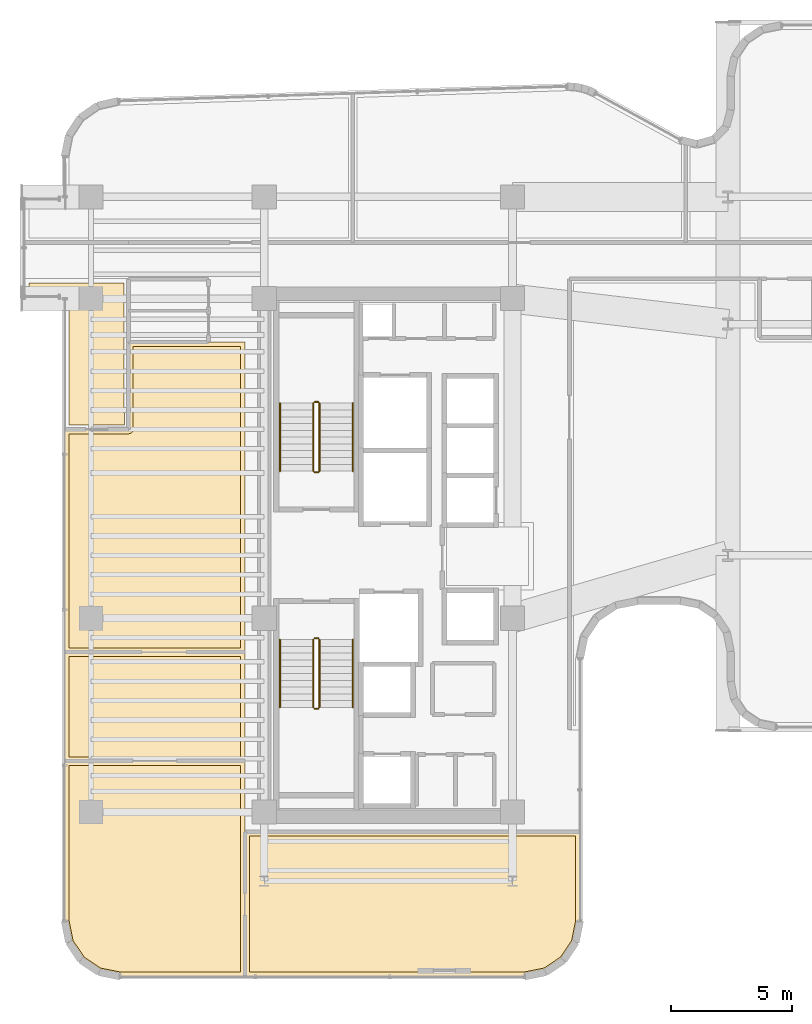
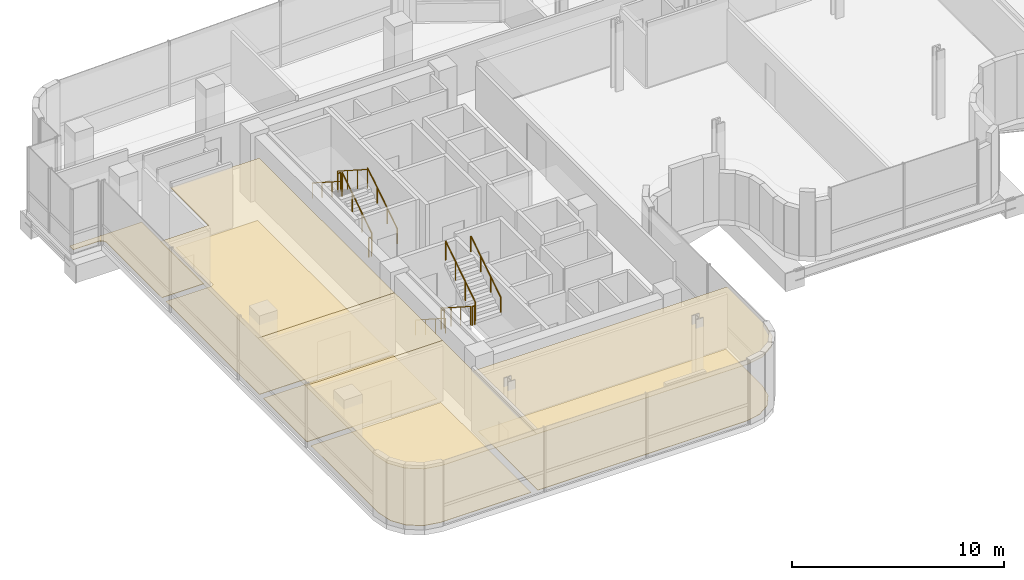
# One storey, part 32 of 35: 12 railings, 9 coverings.
"""IFC4 building model written with IfcOpenShell, lengths in metres."""

import ifcopenshell
import ifcopenshell.guid

model = None  # the IFC model being written
_history = None  # IfcOwnerHistory: only IFC2X3 demands one
_inside = {}  # id of a spatial element -> (the spatial element, [elements in it])
_under = {}  # id of a project, library or spatial element -> (it, [spatial elements below it])
_declared = {}  # id of a project -> (the project, [libraries it declares])
_typed = {}  # id of a type object -> (the type object, [elements of that type])
_made_of = {}  # id of a material, layer set ... -> (it, [elements and type objects made of it])


def new_model(schema):
    """Start an empty IFC model of exactly this schema.

    Asked for "IFC4X3", IfcOpenShell would pick the latest addendum, in which some entities
    have other attributes; the version numbers below select the first issue.
    IFC2X3 requires an IfcOwnerHistory on every rooted entity: one is made here for all.
    """
    global model, _history
    if schema == "IFC4X3":
        model = ifcopenshell.file(schema_version=(4, 3, 0, 0))
    else:
        model = ifcopenshell.file(schema=schema)
    _inside.clear()
    _under.clear()
    _declared.clear()
    _typed.clear()
    _made_of.clear()
    _history = None
    if model.schema == "IFC2X3":
        org = make("IfcOrganization", Name="unknown")
        user = make(
            "IfcPersonAndOrganization",
            ThePerson=make("IfcPerson", FamilyName="unknown"),
            TheOrganization=org,
        )
        app = make(
            "IfcApplication",
            ApplicationDeveloper=org,
            Version="unknown",
            ApplicationFullName="unknown",
            ApplicationIdentifier="unknown",
        )
        _history = make(
            "IfcOwnerHistory",
            OwningUser=user,
            OwningApplication=app,
            ChangeAction="ADDED",
            CreationDate=0,
        )
    return model


def make(cls, **values):
    """One entity of the class cls with the attributes given. An attribute that is None is left unset."""
    return model.create_entity(
        cls, **{name: value for name, value in values.items() if value is not None}
    )


def rooted(cls, **values):
    """An entity with a GlobalId (a new one), such as an element, a storey or a relation."""
    return make(cls, GlobalId=ifcopenshell.guid.new(), OwnerHistory=_history, **values)


def si_unit(unit_type, name, prefix=None):
    """IfcSIUnit, for example si_unit("LENGTHUNIT", "METRE", prefix="MILLI")."""
    return make("IfcSIUnit", UnitType=unit_type, Prefix=prefix, Name=name)


def assignment(units):
    """IfcUnitAssignment: the units of a project."""
    return None if units is None else make("IfcUnitAssignment", Units=units)


def point(xyz):
    """IfcCartesianPoint."""
    return None if xyz is None else make("IfcCartesianPoint", Coordinates=xyz)


def direction(xyz):
    """IfcDirection."""
    return None if xyz is None else make("IfcDirection", DirectionRatios=xyz)


def frame(location, z_axis=None, x_axis=None):
    """IfcAxis2Placement3D, a coordinate frame: its origin and axes. An axis left out is left unset."""
    return make(
        "IfcAxis2Placement3D",
        Location=point(location),
        Axis=direction(z_axis),
        RefDirection=direction(x_axis),
    )


def frame_2d(location, x_axis=None):
    """IfcAxis2Placement2D, a coordinate frame in the plane: its origin and x axis."""
    return make(
        "IfcAxis2Placement2D", Location=point(location), RefDirection=direction(x_axis)
    )


def origin():
    """The frame at (0, 0, 0) with its axes left unset."""
    return frame((0.0, 0.0, 0.0))


def origin_2d():
    """The frame at (0, 0) in the plane with its x axis left unset."""
    return frame_2d((0.0, 0.0))


def place(relative_to, where):
    """IfcLocalPlacement: puts the frame where relative to a parent placement (None: the world)."""
    return make(
        "IfcLocalPlacement", PlacementRelTo=relative_to, RelativePlacement=where
    )


def context(
    kind, dimensions, precision=None, world=None, true_north=None, identifier=None
):
    """IfcGeometricRepresentationContext, for example the 3D "Model" context."""
    return make(
        "IfcGeometricRepresentationContext",
        ContextIdentifier=identifier,
        ContextType=kind,
        CoordinateSpaceDimension=dimensions,
        Precision=precision,
        WorldCoordinateSystem=world,
        TrueNorth=true_north,
    )


def subcontext(parent, identifier, kind, view, scale=None):
    """IfcGeometricRepresentationSubContext, for example "Body" below "Model"."""
    return make(
        "IfcGeometricRepresentationSubContext",
        ContextIdentifier=identifier,
        ContextType=kind,
        ParentContext=parent,
        TargetScale=scale,
        TargetView=view,
    )


def project(units=None, contexts=None):
    """IfcProject with its units and contexts."""
    return rooted(
        "IfcProject",
        Name="project",
        RepresentationContexts=contexts,
        UnitsInContext=assignment(units),
    )


def spatial(cls, under=None, at=None, **own):
    """A site, building, storey or space (cls), placed at a placement, below another one or the project."""
    s = rooted(cls, ObjectPlacement=at, **own)
    if under is not None:
        _under.setdefault(under.id(), (under, []))[1].append(s)
    return s


def polyline(points):
    """IfcPolyline through the points."""
    return make("IfcPolyline", Points=[point(p) for p in points])


def profile(cls, at=None, kind="AREA", **sizes):
    """A parametric profile (cls). Its sizes go by their IFC names, for example OverallWidth=200.0."""
    return make(cls, ProfileType=kind, Position=at, **sizes)


def circle(**sizes):
    """IfcCircleProfileDef."""
    return profile("IfcCircleProfileDef", **sizes)


def outline(outer, holes=None, kind="AREA"):
    """IfcArbitraryClosedProfileDef: a profile drawn as a closed curve; with holes, ...WithVoids."""
    if holes is None:
        return make("IfcArbitraryClosedProfileDef", ProfileType=kind, OuterCurve=outer)
    return make(
        "IfcArbitraryProfileDefWithVoids",
        ProfileType=kind,
        OuterCurve=outer,
        InnerCurves=holes,
    )


def extrude(swept, where, along, depth):
    """IfcExtrudedAreaSolid: the profile swept, set in the frame where, extruded along a direction by depth."""
    return make(
        "IfcExtrudedAreaSolid",
        SweptArea=swept,
        Position=where,
        ExtrudedDirection=direction(along),
        Depth=depth,
    )


def shape(context_of_items, identifier, shape_type, items):
    """IfcShapeRepresentation: the items that make up one representation, for example the "Body"."""
    return make(
        "IfcShapeRepresentation",
        ContextOfItems=context_of_items,
        RepresentationIdentifier=identifier,
        RepresentationType=shape_type,
        Items=items,
    )


def material(Name=None, Category=None):
    """IfcMaterial."""
    return make("IfcMaterial", Name=Name, Category=Category)


def layer(
    of_material, thickness, ventilated=None, Name=None, Category=None, Priority=None
):
    """IfcMaterialLayer: one layer of a wall or slab, of a material (None: an air gap)."""
    return make(
        "IfcMaterialLayer",
        Material=of_material,
        LayerThickness=thickness,
        IsVentilated=ventilated,
        Name=Name,
        Category=Category,
        Priority=Priority,
    )


def layer_set(layers, Name=None):
    """IfcMaterialLayerSet."""
    return make("IfcMaterialLayerSet", MaterialLayers=layers, LayerSetName=Name)


def made_of(thing, what):
    """Note that an element or type object is made of a material, layer set ...; save() writes the relation."""
    if what is not None:
        _made_of.setdefault(what.id(), (what, []))[1].append(thing)
    return thing


def type_object(cls, material=None, **own):
    """A type object (cls), such as IfcWallType, which elements share."""
    return made_of(rooted(cls, **own), material)


def element(
    cls,
    number,
    at=None,
    inside=None,
    cuts=None,
    type_object=None,
    material=None,
    context=None,
    identifier="Body",
    shape_type=None,
    held_by="IfcProductDefinitionShape",
    body=None,
    shapes=None,
    **own,
):
    """One element of the class cls, such as IfcWall. Its Tag is "e" and its number.

    at: its placement. inside: the storey or other place that contains it. cuts: it is an
    opening in that element (IfcRelVoidsElement). A single representation is given by context,
    identifier, shape_type and body (its items); several are given by shapes. held_by: the class
    of the entity that holds the representations. save() writes the other relations.
    """
    e = rooted(cls, Tag="e%d" % number, ObjectPlacement=at, **own)
    if body is not None:
        shapes = [shape(context, identifier, shape_type, body)]
    if shapes is not None:
        e.Representation = make(held_by, Representations=shapes)
    if inside is not None:
        _inside.setdefault(inside.id(), (inside, []))[1].append(e)
    if cuts is not None:
        rooted(
            "IfcRelVoidsElement", RelatingBuildingElement=cuts, RelatedOpeningElement=e
        )
    if type_object is not None:
        _typed.setdefault(type_object.id(), (type_object, []))[1].append(e)
    return made_of(e, material)


def aggregate(whole, parts):
    """IfcRelAggregates: a whole, such as a stair, and the parts it consists of."""
    return rooted("IfcRelAggregates", RelatingObject=whole, RelatedObjects=parts)


def save(model, path):
    """Write the relations noted so far, then the file.

    IfcRelAggregates (storeys below a building ...), IfcRelContainedInSpatialStructure (elements
    in a storey), IfcRelDefinesByType, IfcRelAssociatesMaterial and IfcRelDeclares: one each for
    every whole, place, type object, material and project.
    """
    for whole, parts in _under.values():
        aggregate(whole, parts)
    for where, things in _inside.values():
        rooted(
            "IfcRelContainedInSpatialStructure",
            RelatedElements=things,
            RelatingStructure=where,
        )
    for kind, things in _typed.values():
        rooted("IfcRelDefinesByType", RelatedObjects=things, RelatingType=kind)
    for what, things in _made_of.values():
        rooted("IfcRelAssociatesMaterial", RelatedObjects=things, RelatingMaterial=what)
    for by, libraries in _declared.values():
        rooted("IfcRelDeclares", RelatingContext=by, RelatedDefinitions=libraries)
    model.write(path)


model = new_model("IFC4")

# Units and contexts
model_context = context("Model", 3, precision=1e-05, world=origin(), true_north=direction((0.0, 1.0)))
body_context = subcontext(model_context, "Body", "Model", "MODEL_VIEW")
ifc_project = project(units=[si_unit("LENGTHUNIT", "METRE"), si_unit("AREAUNIT", "SQUARE_METRE"), si_unit("VOLUMEUNIT", "CUBIC_METRE"), si_unit("PLANEANGLEUNIT", "RADIAN"), si_unit("MASSUNIT", "GRAM", prefix="KILO")], contexts=[model_context])

# Site, building, storey
site_placement = place(None, origin())
site = spatial("IfcSite", under=ifc_project, at=site_placement, CompositionType="ELEMENT")
building_placement = place(site_placement, origin())
building = spatial("IfcBuilding", under=site, at=building_placement, Name="Valdorenza Pilgrim Sanctuary Tower", CompositionType="ELEMENT")
storey_placement = place(building_placement, frame((0.0, 0.0, 192.35009765625)))
storey = spatial("IfcBuildingStorey", under=building, at=storey_placement, Name="L49", CompositionType="ELEMENT", Elevation=192.35009765625)

# Coverings
ifc_material_1 = material(Name="Micro-perforated acoustic mineral ceiling tile", Category="gypsum")
ifc_layer_1 = layer(ifc_material_1, 0.02490234375, Name="Micro-perforated acoustic mineral ceiling tile")
ifc_layer_set_1 = layer_set([ifc_layer_1], Name="Micro-perforated acoustic mineral ceiling tile")
covering_type_1 = type_object("IfcCoveringType", Name="COV-CLG-ACU", PredefinedType="CEILING", material=ifc_layer_set_1)
covering_1_placement = place(storey_placement, frame((0.0, 0.0, 3.409912109375)))
element("IfcCovering", 1, at=covering_1_placement, inside=storey, type_object=covering_type_1, Name="L49 Sacred Archive Reading Library L49-S1 Acoustic Ceiling", PredefinedType="CEILING", context=body_context, shape_type="SweptSolid", body=[
    extrude(outline(polyline([(-23.43505859375, -17.389892578125), (-23.43505859375, -17.3916015625), (-23.435302734375, -17.392822265625), (-23.435546875, -17.394287109375), (-23.43603515625, -17.395751953125), (-23.436767578125, -17.397216796875), (-23.4375, -17.398193359375), (-23.4384765625, -17.3994140625), (-23.439453125, -17.400634765625), (-23.4404296875, -17.401611328125), (-23.441650390625, -17.402587890625), (-23.44287109375, -17.4033203125), (-23.4443359375, -17.40380859375), (-23.445556640625, -17.404296875), (-23.447021484375, -17.40478515625), (-23.448486328125, -17.40478515625), (-23.449951171875, -17.405029296875), (-28.589111328125, -17.405029296875), (-28.590576171875, -17.40478515625), (-28.592041015625, -17.40478515625), (-29.478515625, -17.228515625), (-29.479736328125, -17.22802734375), (-29.481201171875, -17.2275390625), (-29.482666015625, -17.226806640625), (-29.48388671875, -17.226318359375), (-30.22607421875, -16.730224609375), (-30.227294921875, -16.7294921875), (-30.228515625, -16.728515625), (-30.2294921875, -16.727294921875), (-30.230224609375, -16.72607421875), (-30.726318359375, -15.98388671875), (-30.726806640625, -15.982666015625), (-30.7275390625, -15.981201171875), (-30.72802734375, -15.979736328125), (-30.728515625, -15.978515625), (-30.90478515625, -15.092041015625), (-30.90478515625, -15.090576171875), (-30.905029296875, -15.089111328125), (-30.905029296875, -8.5), (-30.90478515625, -8.49853515625), (-30.90478515625, -8.4970703125), (-30.904296875, -8.49560546875), (-30.90380859375, -8.494384765625), (-30.9033203125, -8.492919921875), (-30.902587890625, -8.49169921875), (-30.901611328125, -8.490478515625), (-30.900634765625, -8.489501953125), (-30.8994140625, -8.48828125), (-30.898193359375, -8.487548828125), (-30.897216796875, -8.48681640625), (-30.895751953125, -8.486083984375), (-30.894287109375, -8.485595703125), (-30.892822265625, -8.4853515625), (-30.8916015625, -8.485107421875), (-30.889892578125, -8.485107421875), (-23.449951171875, -8.485107421875), (-23.448486328125, -8.485107421875), (-23.447021484375, -8.4853515625), (-23.445556640625, -8.485595703125), (-23.4443359375, -8.486083984375), (-23.44287109375, -8.48681640625), (-23.441650390625, -8.487548828125), (-23.4404296875, -8.48828125), (-23.439453125, -8.489501953125), (-23.4384765625, -8.490478515625), (-23.4375, -8.49169921875), (-23.436767578125, -8.492919921875), (-23.43603515625, -8.494384765625), (-23.435546875, -8.49560546875), (-23.435302734375, -8.4970703125), (-23.43505859375, -8.49853515625), (-23.43505859375, -8.5), (-23.43505859375, -17.389892578125)])), origin(), (0.0, 0.0, 1.0), 0.02490234375),
])
covering_2_placement = place(storey_placement, frame((0.0, 0.0, 3.409912109375)))
element("IfcCovering", 2, at=covering_2_placement, inside=storey, type_object=covering_type_1, Name="L49 South Contemplation Salon L49 Acoustic Ceiling", PredefinedType="CEILING", context=body_context, shape_type="SweptSolid", body=[
    extrude(outline(polyline([(-23.43505859375, -8.498046875), (-23.43505859375, -8.49951171875), (-23.435302734375, -8.5009765625), (-23.435546875, -8.50244140625), (-23.43603515625, -8.503662109375), (-23.436767578125, -8.505126953125), (-23.4375, -8.50634765625), (-23.4384765625, -8.507568359375), (-23.439453125, -8.508544921875), (-23.4404296875, -8.509521484375), (-23.441650390625, -8.510498046875), (-23.44287109375, -8.51123046875), (-23.4443359375, -8.511962890625), (-23.445556640625, -8.512451171875), (-23.447021484375, -8.5126953125), (-23.448486328125, -8.512939453125), (-23.449951171875, -8.512939453125), (-30.889892578125, -8.512939453125), (-30.8916015625, -8.512939453125), (-30.892822265625, -8.5126953125), (-30.894287109375, -8.512451171875), (-30.895751953125, -8.511962890625), (-30.897216796875, -8.51123046875), (-30.898193359375, -8.510498046875), (-30.8994140625, -8.509521484375), (-30.900634765625, -8.508544921875), (-30.901611328125, -8.507568359375), (-30.902587890625, -8.50634765625), (-30.9033203125, -8.505126953125), (-30.90380859375, -8.503662109375), (-30.904296875, -8.50244140625), (-30.90478515625, -8.5009765625), (-30.90478515625, -8.49951171875), (-30.905029296875, -8.498046875), (-30.905029296875, -4.0), (-30.90478515625, -3.99853515625), (-30.90478515625, -3.9970703125), (-30.904296875, -3.99560546875), (-30.90380859375, -3.994384765625), (-30.9033203125, -3.992919921875), (-30.902587890625, -3.99169921875), (-30.901611328125, -3.990478515625), (-30.900634765625, -3.989501953125), (-30.8994140625, -3.98828125), (-30.898193359375, -3.987548828125), (-30.897216796875, -3.98681640625), (-30.895751953125, -3.986083984375), (-30.894287109375, -3.985595703125), (-30.892822265625, -3.9853515625), (-30.8916015625, -3.985107421875), (-30.889892578125, -3.985107421875), (-23.449951171875, -3.985107421875), (-23.448486328125, -3.985107421875), (-23.447021484375, -3.9853515625), (-23.445556640625, -3.985595703125), (-23.4443359375, -3.986083984375), (-23.44287109375, -3.98681640625), (-23.441650390625, -3.987548828125), (-23.4404296875, -3.98828125), (-23.439453125, -3.989501953125), (-23.4384765625, -3.990478515625), (-23.4375, -3.99169921875), (-23.436767578125, -3.992919921875), (-23.43603515625, -3.994384765625), (-23.435546875, -3.99560546875), (-23.435302734375, -3.9970703125), (-23.43505859375, -3.99853515625), (-23.43505859375, -4.0), (-23.43505859375, -8.498046875)])), origin(), (0.0, 0.0, 1.0), 0.02490234375),
])
covering_3_placement = place(storey_placement, frame((0.0, 0.0, 3.409912109375)))
element("IfcCovering", 3, at=covering_3_placement, inside=storey, type_object=covering_type_1, Name="L49 North Contemplation Salon L49 Acoustic Ceiling", PredefinedType="CEILING", context=body_context, shape_type="SweptSolid", body=[
    extrude(outline(polyline([(-28.262939453125, 5.212890625), (-28.262939453125, 8.798095703125), (-28.262939453125, 8.799560546875), (-28.2626953125, 8.80078125), (-28.262451171875, 8.802490234375), (-28.261962890625, 8.8037109375), (-28.26123046875, 8.80517578125), (-28.260498046875, 8.806396484375), (-28.259521484375, 8.8076171875), (-28.258544921875, 8.80859375), (-28.257568359375, 8.8095703125), (-28.25634765625, 8.810546875), (-28.255126953125, 8.811279296875), (-28.253662109375, 8.81201171875), (-28.25244140625, 8.8125), (-28.2509765625, 8.812744140625), (-28.24951171875, 8.81298828125), (-28.248046875, 8.81298828125), (-24.955322265625, 8.81298828125), (-24.954833984375, 8.813232421875), (-24.95361328125, 8.81396484375), (-24.9521484375, 8.814453125), (-24.95068359375, 8.814697265625), (-24.949462890625, 8.81494140625), (-24.947998046875, 8.81494140625), (-23.449951171875, 8.81494140625), (-23.448486328125, 8.81494140625), (-23.447021484375, 8.814697265625), (-23.445556640625, 8.814453125), (-23.4443359375, 8.81396484375), (-23.44287109375, 8.813232421875), (-23.441650390625, 8.8125), (-23.4404296875, 8.8115234375), (-23.439453125, 8.810546875), (-23.4384765625, 8.8095703125), (-23.4375, 8.808349609375), (-23.436767578125, 8.80712890625), (-23.43603515625, 8.8056640625), (-23.435546875, 8.804443359375), (-23.435302734375, 8.802978515625), (-23.43505859375, 8.801513671875), (-23.43505859375, 8.800048828125), (-23.43505859375, -3.998046875), (-23.43505859375, -3.99951171875), (-23.435302734375, -4.0009765625), (-23.435546875, -4.00244140625), (-23.43603515625, -4.003662109375), (-23.436767578125, -4.005126953125), (-23.4375, -4.00634765625), (-23.4384765625, -4.007568359375), (-23.439453125, -4.008544921875), (-23.4404296875, -4.009521484375), (-23.441650390625, -4.010498046875), (-23.44287109375, -4.01123046875), (-23.4443359375, -4.011962890625), (-23.445556640625, -4.012451171875), (-23.447021484375, -4.0126953125), (-23.448486328125, -4.012939453125), (-23.449951171875, -4.012939453125), (-30.889892578125, -4.012939453125), (-30.8916015625, -4.012939453125), (-30.892822265625, -4.0126953125), (-30.894287109375, -4.012451171875), (-30.895751953125, -4.011962890625), (-30.897216796875, -4.01123046875), (-30.898193359375, -4.010498046875), (-30.8994140625, -4.009521484375), (-30.900634765625, -4.008544921875), (-30.901611328125, -4.007568359375), (-30.902587890625, -4.00634765625), (-30.9033203125, -4.005126953125), (-30.90380859375, -4.003662109375), (-30.904296875, -4.00244140625), (-30.90478515625, -4.0009765625), (-30.90478515625, -3.99951171875), (-30.905029296875, -3.998046875), (-30.905029296875, 5.197998046875), (-30.90478515625, 5.199462890625), (-30.90478515625, 5.200927734375), (-30.904296875, 5.202392578125), (-30.90380859375, 5.20361328125), (-30.9033203125, 5.205078125), (-30.902587890625, 5.206298828125), (-30.901611328125, 5.20751953125), (-30.900634765625, 5.20849609375), (-30.8994140625, 5.209716796875), (-30.898193359375, 5.21044921875), (-30.897216796875, 5.211181640625), (-30.895751953125, 5.2119140625), (-30.894287109375, 5.21240234375), (-30.892822265625, 5.212646484375), (-30.8916015625, 5.212890625), (-30.889892578125, 5.212890625), (-28.262939453125, 5.212890625)])), origin(), (0.0, 0.0, 1.0), 0.02490234375),
])
covering_4_placement = place(storey_placement, frame((0.0, 0.0, 3.409912109375)))
element("IfcCovering", 4, at=covering_4_placement, inside=storey, type_object=covering_type_1, Name="L49 Sacred Archive Reading Library L49-S Acoustic Ceiling", PredefinedType="CEILING", context=body_context, shape_type="SweptSolid", body=[
    extrude(outline(polyline([(-9.610107421875, -11.405029296875), (-9.6083984375, -11.405029296875), (-9.607177734375, -11.4052734375), (-9.605712890625, -11.405517578125), (-9.604248046875, -11.406005859375), (-9.602783203125, -11.40673828125), (-9.601806640625, -11.407470703125), (-9.6005859375, -11.408447265625), (-9.599365234375, -11.409423828125), (-9.598388671875, -11.410400390625), (-9.597412109375, -11.41162109375), (-9.5966796875, -11.412841796875), (-9.59619140625, -11.414306640625), (-9.595703125, -11.41552734375), (-9.59521484375, -11.4169921875), (-9.59521484375, -11.41845703125), (-9.594970703125, -11.419921875), (-9.594970703125, -15.089111328125), (-9.59521484375, -15.090576171875), (-9.59521484375, -15.092041015625), (-9.771484375, -15.978515625), (-9.77197265625, -15.979736328125), (-9.7724609375, -15.981201171875), (-9.773193359375, -15.982666015625), (-9.773681640625, -15.98388671875), (-10.269775390625, -16.72607421875), (-10.2705078125, -16.727294921875), (-10.271484375, -16.728515625), (-10.272705078125, -16.7294921875), (-10.27392578125, -16.730224609375), (-11.01611328125, -17.226318359375), (-11.017333984375, -17.226806640625), (-11.018798828125, -17.2275390625), (-11.020263671875, -17.22802734375), (-11.021484375, -17.228515625), (-11.907958984375, -17.40478515625), (-11.909423828125, -17.40478515625), (-11.910888671875, -17.405029296875), (-23.447998046875, -17.405029296875), (-23.449462890625, -17.40478515625), (-23.450927734375, -17.40478515625), (-23.452392578125, -17.404296875), (-23.45361328125, -17.40380859375), (-23.455078125, -17.4033203125), (-23.456298828125, -17.402587890625), (-23.45751953125, -17.401611328125), (-23.45849609375, -17.400634765625), (-23.459716796875, -17.3994140625), (-23.46044921875, -17.398193359375), (-23.461181640625, -17.397216796875), (-23.4619140625, -17.395751953125), (-23.46240234375, -17.394287109375), (-23.462646484375, -17.392822265625), (-23.462890625, -17.3916015625), (-23.462890625, -17.389892578125), (-23.462890625, -11.419921875), (-23.462890625, -11.41845703125), (-23.462646484375, -11.4169921875), (-23.46240234375, -11.41552734375), (-23.4619140625, -11.414306640625), (-23.461181640625, -11.412841796875), (-23.46044921875, -11.41162109375), (-23.459716796875, -11.410400390625), (-23.45849609375, -11.409423828125), (-23.45751953125, -11.408447265625), (-23.456298828125, -11.407470703125), (-23.455078125, -11.40673828125), (-23.45361328125, -11.406005859375), (-23.452392578125, -11.405517578125), (-23.450927734375, -11.4052734375), (-23.449462890625, -11.405029296875), (-23.447998046875, -11.405029296875), (-9.610107421875, -11.405029296875)])), origin(), (0.0, 0.0, 1.0), 0.02490234375),
])
ifc_material_2 = material(Name="Honed travertine stone flooring", Category="masonry")
ifc_layer_2 = layer(ifc_material_2, 0.030029296875, Name="Honed travertine stone flooring")
ifc_layer_set_2 = layer_set([ifc_layer_2], Name="Honed travertine stone flooring")
covering_type_2 = type_object("IfcCoveringType", Name="COV-FLR-TRV", PredefinedType="FLOORING", material=ifc_layer_set_2)
covering_5_placement = place(storey_placement, origin())
element("IfcCovering", 5, at=covering_5_placement, inside=storey, type_object=covering_type_2, Name="L49 Sacred Archive Reading Library L49-S1 Flooring", PredefinedType="FLOORING", context=body_context, shape_type="SweptSolid", body=[
    extrude(outline(polyline([(-23.6298828125, -17.2099609375), (-28.5712890625, -17.2099609375), (-29.4052734375, -17.044189453125), (-30.087890625, -16.587890625), (-30.544189453125, -15.9052734375), (-30.7099609375, -15.0712890625), (-30.7099609375, -8.679931640625), (-23.6298828125, -8.679931640625), (-23.6298828125, -17.2099609375)])), origin(), (0.0, 0.0, 1.0), 0.02490234375),
])
covering_6_placement = place(storey_placement, origin())
element("IfcCovering", 6, at=covering_6_placement, inside=storey, type_object=covering_type_2, Name="L49 North Contemplation Lounge L49 Flooring", PredefinedType="FLOORING", context=body_context, shape_type="SweptSolid", body=[
    extrude(outline(polyline([(-28.431884765625, 11.239990234375), (-28.431884765625, 10.10205078125), (-28.431884765625, 10.10107421875), (-28.431884765625, 10.100341796875), (-28.431884765625, 10.10009765625), (-28.431884765625, 8.800048828125), (-28.43017578125, 5.3798828125), (-30.7099609375, 5.3798828125), (-30.7099609375, 10.60009765625), (-30.710205078125, 10.60888671875), (-30.710693359375, 10.61962890625), (-30.71240234375, 10.63720703125), (-30.714111328125, 10.64794921875), (-30.717529296875, 10.665283203125), (-30.72021484375, 10.67578125), (-30.725341796875, 10.692626953125), (-30.72900390625, 10.70263671875), (-30.735595703125, 10.718994140625), (-30.740234375, 10.728759765625), (-30.74853515625, 10.744384765625), (-30.754150390625, 10.753662109375), (-30.763916015625, 10.768310546875), (-30.7705078125, 10.777099609375), (-30.781494140625, 10.790771484375), (-30.788818359375, 10.798583984375), (-30.80126953125, 10.811279296875), (-30.809326171875, 10.818359375), (-30.822998046875, 10.82958984375), (-30.831787109375, 10.8359375), (-30.84619140625, 10.845947265625), (-30.855712890625, 10.851318359375), (-30.87109375, 10.859619140625), (-30.880859375, 10.8642578125), (-30.897216796875, 10.87109375), (-30.907470703125, 10.874755859375), (-30.92431640625, 10.8798828125), (-30.934814453125, 10.882568359375), (-30.9521484375, 10.885986328125), (-30.962890625, 10.887451171875), (-30.98046875, 10.889404296875), (-30.9912109375, 10.889892578125), (-31.0, 10.889892578125), (-32.360107421875, 10.889892578125), (-32.360107421875, 11.239990234375), (-28.431884765625, 11.239990234375)])), origin(), (0.0, 0.0, 1.0), 0.02490234375),
])
covering_7_placement = place(storey_placement, origin())
element("IfcCovering", 7, at=covering_7_placement, inside=storey, type_object=covering_type_2, Name="L49 South Contemplation Salon L49 Flooring", PredefinedType="FLOORING", context=body_context, shape_type="SweptSolid", body=[
    extrude(outline(polyline([(-23.6298828125, -8.318115234375), (-30.7099609375, -8.318115234375), (-30.7099609375, -4.179931640625), (-23.6298828125, -4.179931640625), (-23.6298828125, -8.318115234375)])), origin(), (0.0, 0.0, 1.0), 0.02490234375),
])
covering_8_placement = place(storey_placement, origin())
element("IfcCovering", 8, at=covering_8_placement, inside=storey, type_object=covering_type_2, Name="L49 North Contemplation Salon L49 Flooring", PredefinedType="FLOORING", context=body_context, shape_type="SweptSolid", body=[
    extrude(outline(polyline([(-23.6298828125, 8.619873046875), (-23.6298828125, -3.818115234375), (-30.7099609375, -3.818115234375), (-30.7099609375, 5.01806640625), (-28.25, 5.01806640625), (-28.2412109375, 5.018310546875), (-28.240966796875, 5.018310546875), (-28.223388671875, 5.02001953125), (-28.22314453125, 5.02001953125), (-28.205810546875, 5.0234375), (-28.205810546875, 5.0234375), (-28.188720703125, 5.028564453125), (-28.188720703125, 5.02880859375), (-28.17236328125, 5.035400390625), (-28.172119140625, 5.035400390625), (-28.156494140625, 5.043701171875), (-28.156494140625, 5.0439453125), (-28.1416015625, 5.0537109375), (-28.1416015625, 5.053955078125), (-28.1279296875, 5.065185546875), (-28.127685546875, 5.065185546875), (-28.115234375, 5.07763671875), (-28.114990234375, 5.077880859375), (-28.10400390625, 5.091552734375), (-28.103759765625, 5.091796875), (-28.093994140625, 5.1064453125), (-28.09375, 5.1064453125), (-28.08544921875, 5.1220703125), (-28.08544921875, 5.122314453125), (-28.07861328125, 5.138671875), (-28.07861328125, 5.138916015625), (-28.073486328125, 5.15576171875), (-28.073486328125, 5.156005859375), (-28.070068359375, 5.173095703125), (-28.070068359375, 5.17333984375), (-28.068115234375, 5.19091796875), (-28.068115234375, 5.191162109375), (-28.068115234375, 5.199951171875), (-28.068115234375, 8.617919921875), (-24.949951171875, 8.617919921875), (-24.94970703125, 8.617919921875), (-23.6298828125, 8.619873046875)])), origin(), (0.0, 0.0, 1.0), 0.02490234375),
])
covering_9_placement = place(storey_placement, origin())
element("IfcCovering", 9, at=covering_9_placement, inside=storey, type_object=covering_type_2, Name="L49 Sacred Archive Reading Library L49-S Flooring", PredefinedType="FLOORING", context=body_context, shape_type="SweptSolid", body=[
    extrude(outline(polyline([(-9.7900390625, -11.60009765625), (-9.7900390625, -15.0712890625), (-9.955810546875, -15.9052734375), (-10.412109375, -16.587890625), (-11.0947265625, -17.044189453125), (-11.9287109375, -17.2099609375), (-23.26806640625, -17.2099609375), (-23.26806640625, -11.60009765625), (-9.7900390625, -11.60009765625)])), origin(), (0.0, 0.0, 1.0), 0.02490234375),
])

# Railings
ifc_material_3 = material(Name="Stainless steel Grade 316", Category="steel")
railing_type_1 = type_object("IfcRailingType", Name="RLG-GRD-1120", PredefinedType="GUARDRAIL", material=ifc_material_3)
railing_1_placement = place(storey_placement, frame((-20.3701171875, 3.47998046875, 0.179443359375)))
element("IfcRailing", 10, at=railing_1_placement, inside=storey, type_object=railing_type_1, Name="L49 ST-A1 stair guard 1", PredefinedType="GUARDRAIL", context=body_context, shape_type="SweptSolid", body=[
    extrude(circle(Radius=0.02392578125, at=origin_2d()), frame((0.0, 0.0, 1.076171875), z_axis=(0.0, 0.841809871826, 0.539774156196), x_axis=(-1.0, 0.0, 0.0)), (0.0, 0.0, 1.0), 3.326171875),
    extrude(circle(Radius=0.02099609375, at=origin_2d()), origin(), (0.0, 0.0, 1.0), 1.052001953125),
    extrude(circle(Radius=0.02099609375, at=origin_2d()), frame((0.0, 0.933349609375, 0.598388671875)), (0.0, 0.0, 1.0), 1.052001953125),
    extrude(circle(Radius=0.02099609375, at=origin_2d()), frame((0.0, 1.86669921875, 1.197021484375)), (0.0, 0.0, 1.0), 1.052001953125),
    extrude(circle(Radius=0.02099609375, at=origin_2d()), frame((0.0, 2.800048828125, 1.79541015625)), (0.0, 0.0, 1.0), 1.052001953125),
])
railing_2_placement = place(storey_placement, frame((-20.419921875, 6.330078125, 1.974853515625)))
element("IfcRailing", 11, at=railing_2_placement, inside=storey, type_object=railing_type_1, Name="L49 ST-A1 stair guard 2", PredefinedType="GUARDRAIL", context=body_context, shape_type="SweptSolid", body=[
    extrude(circle(Radius=0.02392578125, at=origin_2d()), frame((0.0, 0.0, 1.076171875), z_axis=(-1.0, 0.0, 0.0), x_axis=(0.0, -1.0, 0.0)), (0.0, 0.0, 1.0), 0.150146484375),
    extrude(circle(Radius=0.02099609375, at=origin_2d()), origin(), (0.0, 0.0, 1.0), 1.052001953125),
    extrude(circle(Radius=0.02099609375, at=origin_2d()), frame((-0.150146484375, 0.0, 0.0)), (0.0, 0.0, 1.0), 1.052001953125),
])
railing_3_placement = place(storey_placement, frame((-20.6201171875, 6.280029296875, 2.154541015625)))
element("IfcRailing", 12, at=railing_3_placement, inside=storey, type_object=railing_type_1, Name="L49 ST-A1 stair guard 3", PredefinedType="GUARDRAIL", context=body_context, shape_type="SweptSolid", body=[
    extrude(circle(Radius=0.02392578125, at=origin_2d()), frame((0.0, 0.0, 1.076171875), z_axis=(0.0, -0.841809871826, 0.539774156196), x_axis=(1.0, 0.0, 0.0)), (0.0, 0.0, 1.0), 3.326171875),
    extrude(circle(Radius=0.02099609375, at=origin_2d()), origin(), (0.0, 0.0, 1.0), 1.052001953125),
    extrude(circle(Radius=0.02099609375, at=origin_2d()), frame((0.0, -0.933349609375, 0.598388671875)), (0.0, 0.0, 1.0), 1.052001953125),
    extrude(circle(Radius=0.02099609375, at=origin_2d()), frame((0.0, -1.86669921875, 1.197021484375)), (0.0, 0.0, 1.0), 1.052001953125),
    extrude(circle(Radius=0.02099609375, at=origin_2d()), frame((0.0, -2.800048828125, 1.79541015625)), (0.0, 0.0, 1.0), 1.052001953125),
])
railing_4_placement = place(storey_placement, frame((-20.419921875, 3.429931640625, 0.0)))
element("IfcRailing", 13, at=railing_4_placement, inside=storey, type_object=railing_type_1, Name="L49 ST-A1 stair guard 4", PredefinedType="GUARDRAIL", context=body_context, shape_type="SweptSolid", body=[
    extrude(circle(Radius=0.02392578125, at=origin_2d()), frame((0.0, 0.0, 1.076171875), z_axis=(-1.0, 0.0, 0.0), x_axis=(0.0, -1.0, 0.0)), (0.0, 0.0, 1.0), 0.150146484375),
    extrude(circle(Radius=0.02099609375, at=origin_2d()), origin(), (0.0, 0.0, 1.0), 1.052001953125),
    extrude(circle(Radius=0.02099609375, at=origin_2d()), frame((-0.150146484375, 0.0, 0.0)), (0.0, 0.0, 1.0), 1.052001953125),
])
railing_5_placement = place(storey_placement, frame((-20.6201171875, -3.47998046875, 0.179443359375)))
element("IfcRailing", 14, at=railing_5_placement, inside=storey, type_object=railing_type_1, Name="L49 ST-A2 stair guard 1", PredefinedType="GUARDRAIL", context=body_context, shape_type="SweptSolid", body=[
    extrude(circle(Radius=0.02392578125, at=origin_2d()), frame((0.0, 0.0, 1.076171875), z_axis=(0.0, -0.841809871826, 0.539774156196), x_axis=(1.0, 0.0, 0.0)), (0.0, 0.0, 1.0), 3.326171875),
    extrude(circle(Radius=0.02099609375, at=origin_2d()), origin(), (0.0, 0.0, 1.0), 1.052001953125),
    extrude(circle(Radius=0.02099609375, at=origin_2d()), frame((0.0, -0.933349609375, 0.598388671875)), (0.0, 0.0, 1.0), 1.052001953125),
    extrude(circle(Radius=0.02099609375, at=origin_2d()), frame((0.0, -1.86669921875, 1.197021484375)), (0.0, 0.0, 1.0), 1.052001953125),
    extrude(circle(Radius=0.02099609375, at=origin_2d()), frame((0.0, -2.800048828125, 1.79541015625)), (0.0, 0.0, 1.0), 1.052001953125),
])
railing_6_placement = place(storey_placement, frame((-20.570068359375, -6.330078125, 1.974853515625)))
element("IfcRailing", 15, at=railing_6_placement, inside=storey, type_object=railing_type_1, Name="L49 ST-A2 stair guard 2", PredefinedType="GUARDRAIL", context=body_context, shape_type="SweptSolid", body=[
    extrude(circle(Radius=0.02392578125, at=origin_2d()), frame((0.0, 0.0, 1.076171875), z_axis=(1.0, 0.0, 0.0), x_axis=(0.0, 1.0, 0.0)), (0.0, 0.0, 1.0), 0.150146484375),
    extrude(circle(Radius=0.02099609375, at=origin_2d()), origin(), (0.0, 0.0, 1.0), 1.052001953125),
    extrude(circle(Radius=0.02099609375, at=origin_2d()), frame((0.150146484375, 0.0, 0.0)), (0.0, 0.0, 1.0), 1.052001953125),
])
railing_7_placement = place(storey_placement, frame((-20.3701171875, -6.280029296875, 2.154541015625)))
element("IfcRailing", 16, at=railing_7_placement, inside=storey, type_object=railing_type_1, Name="L49 ST-A2 stair guard 3", PredefinedType="GUARDRAIL", context=body_context, shape_type="SweptSolid", body=[
    extrude(circle(Radius=0.02392578125, at=origin_2d()), frame((0.0, 0.0, 1.076171875), z_axis=(0.0, 0.841809871826, 0.539774156196), x_axis=(-1.0, 0.0, 0.0)), (0.0, 0.0, 1.0), 3.326171875),
    extrude(circle(Radius=0.02099609375, at=origin_2d()), origin(), (0.0, 0.0, 1.0), 1.052001953125),
    extrude(circle(Radius=0.02099609375, at=origin_2d()), frame((0.0, 0.933349609375, 0.598388671875)), (0.0, 0.0, 1.0), 1.052001953125),
    extrude(circle(Radius=0.02099609375, at=origin_2d()), frame((0.0, 1.86669921875, 1.197021484375)), (0.0, 0.0, 1.0), 1.052001953125),
    extrude(circle(Radius=0.02099609375, at=origin_2d()), frame((0.0, 2.800048828125, 1.79541015625)), (0.0, 0.0, 1.0), 1.052001953125),
])
railing_8_placement = place(storey_placement, frame((-20.570068359375, -3.429931640625, 0.0)))
element("IfcRailing", 17, at=railing_8_placement, inside=storey, type_object=railing_type_1, Name="L49 ST-A2 stair guard 4", PredefinedType="GUARDRAIL", context=body_context, shape_type="SweptSolid", body=[
    extrude(circle(Radius=0.02392578125, at=origin_2d()), frame((0.0, 0.0, 1.076171875), z_axis=(1.0, 0.0, 0.0), x_axis=(0.0, 1.0, 0.0)), (0.0, 0.0, 1.0), 0.150146484375),
    extrude(circle(Radius=0.02099609375, at=origin_2d()), origin(), (0.0, 0.0, 1.0), 1.052001953125),
    extrude(circle(Radius=0.02099609375, at=origin_2d()), frame((0.150146484375, 0.0, 0.0)), (0.0, 0.0, 1.0), 1.052001953125),
])
ifc_material_4 = material(Name="Brushed stainless steel Grade 316", Category="steel")
railing_type_2 = type_object("IfcRailingType", Name="RLG-HND-920", PredefinedType="HANDRAIL", material=ifc_material_4)
railing_9_placement = place(storey_placement, frame((-18.989990234375, 3.47998046875, 0.179443359375)))
element("IfcRailing", 18, at=railing_9_placement, inside=storey, type_object=railing_type_2, Name="L49 ST-A1 stair handrail 1", PredefinedType="HANDRAIL", context=body_context, shape_type="SweptSolid", body=[
    extrude(circle(Radius=0.02392578125, at=origin_2d()), frame((0.0, 0.0, 0.8759765625), z_axis=(0.0, 0.841809871826, 0.539774156196), x_axis=(-1.0, 0.0, 0.0)), (0.0, 0.0, 1.0), 3.326171875),
    extrude(circle(Radius=0.02099609375, at=origin_2d()), origin(), (0.0, 0.0, 1.0), 0.851806640625),
    extrude(circle(Radius=0.02099609375, at=origin_2d()), frame((0.0, 0.933349609375, 0.598388671875)), (0.0, 0.0, 1.0), 0.851806640625),
    extrude(circle(Radius=0.02099609375, at=origin_2d()), frame((0.0, 1.86669921875, 1.197021484375)), (0.0, 0.0, 1.0), 0.851806640625),
    extrude(circle(Radius=0.02099609375, at=origin_2d()), frame((0.0, 2.800048828125, 1.79541015625)), (0.0, 0.0, 1.0), 0.851806640625),
])
for number, where, name in (
    (19, (-22.0, 6.280029296875, 2.154541015625), "L49 ST-A1 stair handrail 2"),
    (20, (-22.0, -3.47998046875, 0.179443359375), "L49 ST-A2 stair handrail 1"),
):
    element("IfcRailing", number, at=place(storey_placement, frame(where)), inside=storey, type_object=railing_type_2, Name=name, PredefinedType="HANDRAIL", context=body_context, shape_type="SweptSolid", body=[
        extrude(circle(Radius=0.02392578125, at=origin_2d()), frame((0.0, 0.0, 0.8759765625), z_axis=(0.0, -0.841809871826, 0.539774156196), x_axis=(1.0, 0.0, 0.0)), (0.0, 0.0, 1.0), 3.326171875),
        extrude(circle(Radius=0.02099609375, at=origin_2d()), origin(), (0.0, 0.0, 1.0), 0.851806640625),
        extrude(circle(Radius=0.02099609375, at=origin_2d()), frame((0.0, -0.933349609375, 0.598388671875)), (0.0, 0.0, 1.0), 0.851806640625),
        extrude(circle(Radius=0.02099609375, at=origin_2d()), frame((0.0, -1.86669921875, 1.197021484375)), (0.0, 0.0, 1.0), 0.851806640625),
        extrude(circle(Radius=0.02099609375, at=origin_2d()), frame((0.0, -2.800048828125, 1.79541015625)), (0.0, 0.0, 1.0), 0.851806640625),
    ])
railing_10_placement = place(storey_placement, frame((-18.989990234375, -6.280029296875, 2.154541015625)))
element("IfcRailing", 21, at=railing_10_placement, inside=storey, type_object=railing_type_2, Name="L49 ST-A2 stair handrail 2", PredefinedType="HANDRAIL", context=body_context, shape_type="SweptSolid", body=[
    extrude(circle(Radius=0.02392578125, at=origin_2d()), frame((0.0, 0.0, 0.8759765625), z_axis=(0.0, 0.841809871826, 0.539774156196), x_axis=(-1.0, 0.0, 0.0)), (0.0, 0.0, 1.0), 3.326171875),
    extrude(circle(Radius=0.02099609375, at=origin_2d()), origin(), (0.0, 0.0, 1.0), 0.851806640625),
    extrude(circle(Radius=0.02099609375, at=origin_2d()), frame((0.0, 0.933349609375, 0.598388671875)), (0.0, 0.0, 1.0), 0.851806640625),
    extrude(circle(Radius=0.02099609375, at=origin_2d()), frame((0.0, 1.86669921875, 1.197021484375)), (0.0, 0.0, 1.0), 0.851806640625),
    extrude(circle(Radius=0.02099609375, at=origin_2d()), frame((0.0, 2.800048828125, 1.79541015625)), (0.0, 0.0, 1.0), 0.851806640625),
])

save(model, "model.ifc")
